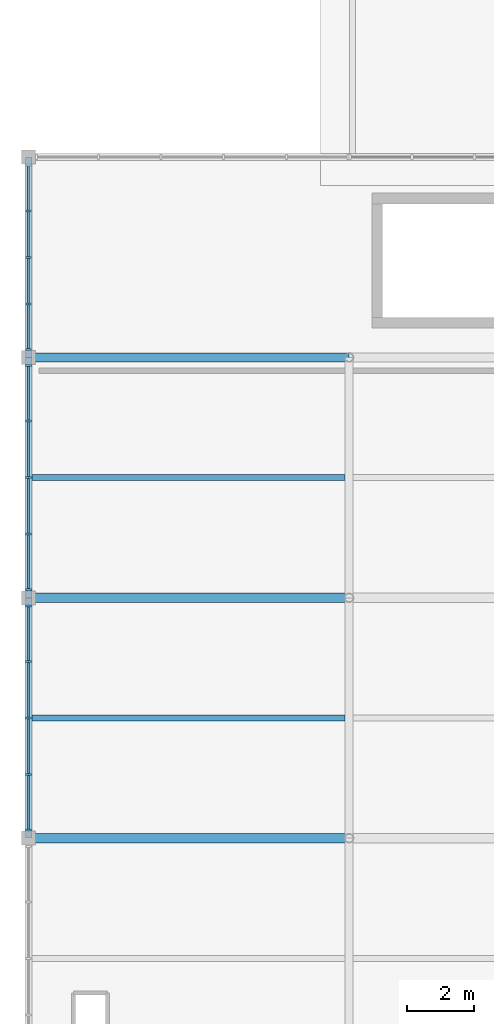
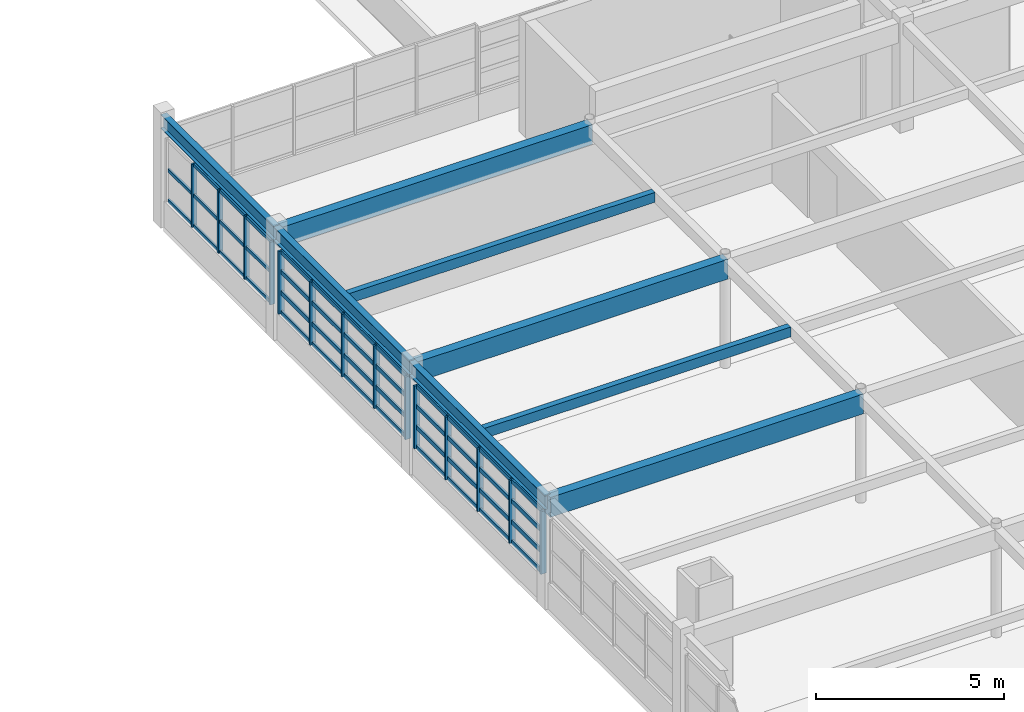
# One storey, part 6 of 25: 57 members, 8 beams, 3 elements without a shape of their own.
"""IFC4 building model written with IfcOpenShell, lengths in metres."""

from ifc_helpers import new_model, si_unit, direction, frame, origin, origin_2d, place, context, subcontext, project, spatial, rectangle, i_section, extrude, material, material_profile, profile_set, type_object, element, aggregate, save


model = new_model("IFC4")

# Units and contexts
model_context = context("Model", 3, precision=1e-05, world=origin(), true_north=direction((0.0, 1.0)))
body_context = subcontext(model_context, "Body", "Model", "MODEL_VIEW")
ifc_project = project(units=[si_unit("LENGTHUNIT", "METRE"), si_unit("AREAUNIT", "SQUARE_METRE"), si_unit("VOLUMEUNIT", "CUBIC_METRE"), si_unit("PLANEANGLEUNIT", "RADIAN"), si_unit("MASSUNIT", "GRAM", prefix="KILO")], contexts=[model_context])

# Site, building, storey
site_placement = place(None, origin())
site = spatial("IfcSite", under=ifc_project, at=site_placement, CompositionType="ELEMENT")
building_placement = place(site_placement, origin())
building = spatial("IfcBuilding", under=site, at=building_placement, Name="Nzembalo Square Collegiate School", CompositionType="ELEMENT")
storey_placement = place(building_placement, frame((0.0, 0.0, 21.080078125)))
storey = spatial("IfcBuildingStorey", under=building, at=storey_placement, Name="L05", CompositionType="ELEMENT", Elevation=21.080078125)

# Beams
ifc_material_1 = material(Name="Glulam GL32h", Category="wood")
ifc_material_profile_1 = material_profile(ifc_material_1, rectangle(XDim=0.280029296875, YDim=0.639892578125, at=origin_2d()), Name="GL32h 280x640")
ifc_profile_set_1 = profile_set([ifc_material_profile_1], Name="Glulam GL32h")
beam_type_1 = type_object("IfcBeamType", Name="B04", PredefinedType="BEAM", material=ifc_profile_set_1)
for number, where, z_axis, x_axis, name in (
    (1, (130.800048828125, 30.0, 3.2099609375), (1.0, 0.0, 0.0), (0.0, 1.0, 0.0), "Beam B04 L05"),
    (2, (130.800048828125, 37.199951171875, 3.2099609375), (1.0, 0.0, 0.0), (0.0, 1.0, 0.0), "Beam B04 L05"),
    (3, (130.800048828125, 44.39990234375, 3.2099609375), (1.0, 0.0, 0.0), (0.0, 1.0, 0.0), "Beam B04 L05"),
):
    element("IfcBeam", number, at=place(storey_placement, frame(where, z_axis=z_axis, x_axis=x_axis)), inside=storey, type_object=beam_type_1, Name=name, PredefinedType="BEAM", context=body_context, shape_type="SweptSolid", body=[
        extrude(rectangle(XDim=0.280029296875, YDim=0.639892578125, at=origin_2d()), origin(), (0.0, 0.0, 1.0), 9.599853515625),
    ])
ifc_material_2 = material(Name="Steel S355", Category="steel")
ifc_material_profile_2 = material_profile(ifc_material_2, i_section(OverallWidth=0.18994140625, OverallDepth=0.449951171875, WebThickness=0.009521484375, FlangeThickness=0.0146484375, at=origin_2d()), Name="IPE 450")
ifc_profile_set_2 = profile_set([ifc_material_profile_2], Name="Steel S355")
beam_type_2 = type_object("IfcBeamType", Name="B09", PredefinedType="BEAM", material=ifc_profile_set_2)
for number, where, z_axis, x_axis, name in (
    (4, (130.800048828125, 30.0, 3.304931640625), (0.0, 1.0, 0.0), (-1.0, 0.0, 0.0), "Beam B09 L05"),
    (5, (130.800048828125, 37.199951171875, 3.304931640625), (0.0, 1.0, 0.0), (-1.0, 0.0, 0.0), "Beam B09 L05"),
):
    element("IfcBeam", number, at=place(storey_placement, frame(where, z_axis=z_axis, x_axis=x_axis)), inside=storey, type_object=beam_type_2, Name=name, PredefinedType="BEAM", context=body_context, shape_type="SweptSolid", body=[
        extrude(i_section(OverallWidth=0.18994140625, OverallDepth=0.449951171875, WebThickness=0.009521484375, FlangeThickness=0.0146484375, at=origin_2d()), origin(), (0.0, 0.0, 1.0), 7.199951171875),
    ])
beam_placement = place(storey_placement, frame((130.800048828125, 44.39990234375, 3.304931640625), z_axis=(0.0, 1.0, 0.0), x_axis=(-1.0, 0.0, 0.0)))
element("IfcBeam", 6, at=beam_placement, inside=storey, type_object=beam_type_2, Name="Beam B09 L05", PredefinedType="BEAM", context=body_context, shape_type="SweptSolid", body=[
    extrude(i_section(OverallWidth=0.18994140625, OverallDepth=0.449951171875, WebThickness=0.009521484375, FlangeThickness=0.0146484375, at=origin_2d()), origin(), (0.0, 0.0, 1.0), 6.0),
])
ifc_material_3 = material(Name="Glulam GL28h", Category="wood")
ifc_material_profile_3 = material_profile(ifc_material_3, rectangle(XDim=0.179931640625, YDim=0.320068359375, at=origin_2d()), Name="GL28h 180x320")
ifc_profile_set_3 = profile_set([ifc_material_profile_3], Name="Glulam GL28h")
beam_type_3 = type_object("IfcBeamType", Name="J02", PredefinedType="JOIST", material=ifc_profile_set_3)
for number, where, z_axis, x_axis, name in (
    (7, (130.89501953125, 33.60009765625, 3.369873046875), (1.0, 0.0, 0.0), (0.0, 1.0, 0.0), "Secondary joist J02 L05"),
    (8, (130.89501953125, 40.800048828125, 3.369873046875), (1.0, 0.0, 0.0), (0.0, 1.0, 0.0), "Secondary joist J02 L05"),
):
    element("IfcBeam", number, at=place(storey_placement, frame(where, z_axis=z_axis, x_axis=x_axis)), inside=storey, type_object=beam_type_3, Name=name, PredefinedType="JOIST", context=body_context, shape_type="SweptSolid", body=[
        extrude(rectangle(XDim=0.179931640625, YDim=0.320068359375, at=origin_2d()), origin(), (0.0, 0.0, 1.0), 9.385009765625),
    ])

# Curtain wall, members
ifc_material_4 = material(Name="Aluminium 6060-T66", Category="aluminium")
curtain_wall_type_1 = type_object("IfcCurtainWallType", Name="CW-05", PredefinedType="USERDEFINED", material=ifc_material_4)
curtain_wall_1_placement = place(storey_placement, origin())
curtain_wall_1 = element("IfcCurtainWall", 9, at=curtain_wall_1_placement, inside=storey, type_object=curtain_wall_type_1, Name="Curtain wall CW-05 cw:L05:156", ObjectType="LANCET", PredefinedType="USERDEFINED")
ifc_material_5 = material(Name="Aluminium 6060-T66", Category="aluminium")
ifc_material_profile_4 = material_profile(ifc_material_5, rectangle(XDim=0.06005859375, YDim=0.179931640625, at=origin_2d()), Name="ALU M60x180")
ifc_profile_set_4 = profile_set([ifc_material_profile_4], Name="Aluminium 6060-T66")
member_type_1 = type_object("IfcMemberType", Name="ML01", PredefinedType="MULLION", material=ifc_profile_set_4)
member_1_placement = place(storey_placement, frame((130.800048828125, 30.241943359375, 0.849853515625), z_axis=(0.0, 0.0, 1.0), x_axis=(0.0, 1.0, 0.0)))
member_1 = element("IfcMember", 10, at=member_1_placement, type_object=member_type_1, Name="ML01 mullion 1", PredefinedType="MULLION", context=body_context, shape_type="SweptSolid", body=[
    extrude(rectangle(XDim=0.06005859375, YDim=0.179931640625, at=origin_2d()), origin(), (0.0, 0.0, 1.0), 2.0341796875),
])
member_2_placement = place(storey_placement, frame((130.800048828125, 31.906005859375, 0.849853515625), z_axis=(0.0, 0.0, 1.0), x_axis=(0.0, 1.0, 0.0)))
member_2 = element("IfcMember", 11, at=member_2_placement, type_object=member_type_1, Name="ML01 mullion 2", PredefinedType="MULLION", context=body_context, shape_type="SweptSolid", body=[
    extrude(rectangle(XDim=0.06005859375, YDim=0.179931640625, at=origin_2d()), origin(), (0.0, 0.0, 1.0), 2.0341796875),
])
member_3_placement = place(storey_placement, frame((130.800048828125, 33.60009765625, 0.849853515625), z_axis=(0.0, 0.0, 1.0), x_axis=(0.0, 1.0, 0.0)))
member_3 = element("IfcMember", 12, at=member_3_placement, type_object=member_type_1, Name="ML01 mullion 3", PredefinedType="MULLION", context=body_context, shape_type="SweptSolid", body=[
    extrude(rectangle(XDim=0.06005859375, YDim=0.179931640625, at=origin_2d()), origin(), (0.0, 0.0, 1.0), 2.0341796875),
])
member_4_placement = place(storey_placement, frame((130.800048828125, 35.2939453125, 0.849853515625), z_axis=(0.0, 0.0, 1.0), x_axis=(0.0, 1.0, 0.0)))
member_4 = element("IfcMember", 13, at=member_4_placement, type_object=member_type_1, Name="ML01 mullion 4", PredefinedType="MULLION", context=body_context, shape_type="SweptSolid", body=[
    extrude(rectangle(XDim=0.06005859375, YDim=0.179931640625, at=origin_2d()), origin(), (0.0, 0.0, 1.0), 2.0341796875),
])
member_5_placement = place(storey_placement, frame((130.800048828125, 36.9580078125, 0.849853515625), z_axis=(0.0, 0.0, 1.0), x_axis=(0.0, 1.0, 0.0)))
member_5 = element("IfcMember", 14, at=member_5_placement, type_object=member_type_1, Name="ML01 mullion 5", PredefinedType="MULLION", context=body_context, shape_type="SweptSolid", body=[
    extrude(rectangle(XDim=0.06005859375, YDim=0.179931640625, at=origin_2d()), origin(), (0.0, 0.0, 1.0), 2.0341796875),
])

ifc_material_6 = material(Name="Aluminium 6060-T66", Category="aluminium")
curtain_wall_type_2 = type_object("IfcCurtainWallType", Name="CW-06", PredefinedType="USERDEFINED", material=ifc_material_6)
curtain_wall_2_placement = place(storey_placement, origin())
curtain_wall_2 = element("IfcCurtainWall", 15, at=curtain_wall_2_placement, inside=storey, type_object=curtain_wall_type_2, Name="Curtain wall CW-06 cw:L05:157", ObjectType="LANCET", PredefinedType="USERDEFINED")
member_6_placement = place(storey_placement, frame((130.800048828125, 37.44189453125, 0.849853515625), z_axis=(0.0, 0.0, 1.0), x_axis=(0.0, 1.0, 0.0)))
member_6 = element("IfcMember", 16, at=member_6_placement, type_object=member_type_1, Name="ML01 mullion 1", PredefinedType="MULLION", context=body_context, shape_type="SweptSolid", body=[
    extrude(rectangle(XDim=0.06005859375, YDim=0.179931640625, at=origin_2d()), origin(), (0.0, 0.0, 1.0), 2.0341796875),
])
member_7_placement = place(storey_placement, frame((130.800048828125, 39.10595703125, 0.849853515625), z_axis=(0.0, 0.0, 1.0), x_axis=(0.0, 1.0, 0.0)))
member_7 = element("IfcMember", 17, at=member_7_placement, type_object=member_type_1, Name="ML01 mullion 2", PredefinedType="MULLION", context=body_context, shape_type="SweptSolid", body=[
    extrude(rectangle(XDim=0.06005859375, YDim=0.179931640625, at=origin_2d()), origin(), (0.0, 0.0, 1.0), 2.0341796875),
])
member_8_placement = place(storey_placement, frame((130.800048828125, 40.800048828125, 0.849853515625), z_axis=(0.0, 0.0, 1.0), x_axis=(0.0, 1.0, 0.0)))
member_8 = element("IfcMember", 18, at=member_8_placement, type_object=member_type_1, Name="ML01 mullion 3", PredefinedType="MULLION", context=body_context, shape_type="SweptSolid", body=[
    extrude(rectangle(XDim=0.06005859375, YDim=0.179931640625, at=origin_2d()), origin(), (0.0, 0.0, 1.0), 2.0341796875),
])
member_9_placement = place(storey_placement, frame((130.800048828125, 42.493896484375, 0.849853515625), z_axis=(0.0, 0.0, 1.0), x_axis=(0.0, 1.0, 0.0)))
member_9 = element("IfcMember", 19, at=member_9_placement, type_object=member_type_1, Name="ML01 mullion 4", PredefinedType="MULLION", context=body_context, shape_type="SweptSolid", body=[
    extrude(rectangle(XDim=0.06005859375, YDim=0.179931640625, at=origin_2d()), origin(), (0.0, 0.0, 1.0), 2.0341796875),
])
member_10_placement = place(storey_placement, frame((130.800048828125, 44.157958984375, 0.849853515625), z_axis=(0.0, 0.0, 1.0), x_axis=(0.0, 1.0, 0.0)))
member_10 = element("IfcMember", 20, at=member_10_placement, type_object=member_type_1, Name="ML01 mullion 5", PredefinedType="MULLION", context=body_context, shape_type="SweptSolid", body=[
    extrude(rectangle(XDim=0.06005859375, YDim=0.179931640625, at=origin_2d()), origin(), (0.0, 0.0, 1.0), 2.0341796875),
])

ifc_material_7 = material(Name="Aluminium 6060-T66", Category="aluminium")
curtain_wall_type_3 = type_object("IfcCurtainWallType", Name="CW-07", PredefinedType="USERDEFINED", material=ifc_material_7)
curtain_wall_3_placement = place(storey_placement, origin())
curtain_wall_3 = element("IfcCurtainWall", 21, at=curtain_wall_3_placement, inside=storey, type_object=curtain_wall_type_3, Name="Curtain wall CW-07 cw:L05:158", ObjectType="LANCET", PredefinedType="USERDEFINED")
ifc_material_8 = material(Name="Aluminium 6060-T66", Category="aluminium")
ifc_material_profile_5 = material_profile(ifc_material_8, rectangle(XDim=0.06005859375, YDim=0.14990234375, at=origin_2d()), Name="ALU M60x150")
ifc_profile_set_5 = profile_set([ifc_material_profile_5], Name="Aluminium 6060-T66")
member_type_2 = type_object("IfcMemberType", Name="ML02", PredefinedType="MULLION", material=ifc_profile_set_5)
member_11_placement = place(storey_placement, frame((130.800048828125, 44.64208984375, 0.849853515625), z_axis=(0.0, 0.0, 1.0), x_axis=(0.0, 1.0, 0.0)))
member_11 = element("IfcMember", 22, at=member_11_placement, type_object=member_type_2, Name="ML02 mullion 1", PredefinedType="MULLION", context=body_context, shape_type="SweptSolid", body=[
    extrude(rectangle(XDim=0.06005859375, YDim=0.14990234375, at=origin_2d()), origin(), (0.0, 0.0, 1.0), 2.0341796875),
])
member_12_placement = place(storey_placement, frame((130.800048828125, 46.006103515625, 0.849853515625), z_axis=(0.0, 0.0, 1.0), x_axis=(0.0, 1.0, 0.0)))
member_12 = element("IfcMember", 23, at=member_12_placement, type_object=member_type_2, Name="ML02 mullion 2", PredefinedType="MULLION", context=body_context, shape_type="SweptSolid", body=[
    extrude(rectangle(XDim=0.06005859375, YDim=0.14990234375, at=origin_2d()), origin(), (0.0, 0.0, 1.0), 2.0341796875),
])
member_13_placement = place(storey_placement, frame((130.800048828125, 47.39990234375, 0.849853515625), z_axis=(0.0, 0.0, 1.0), x_axis=(0.0, 1.0, 0.0)))
member_13 = element("IfcMember", 24, at=member_13_placement, type_object=member_type_2, Name="ML02 mullion 3", PredefinedType="MULLION", context=body_context, shape_type="SweptSolid", body=[
    extrude(rectangle(XDim=0.06005859375, YDim=0.14990234375, at=origin_2d()), origin(), (0.0, 0.0, 1.0), 2.0341796875),
])
member_14_placement = place(storey_placement, frame((130.800048828125, 48.7939453125, 0.849853515625), z_axis=(0.0, 0.0, 1.0), x_axis=(0.0, 1.0, 0.0)))
member_14 = element("IfcMember", 25, at=member_14_placement, type_object=member_type_2, Name="ML02 mullion 4", PredefinedType="MULLION", context=body_context, shape_type="SweptSolid", body=[
    extrude(rectangle(XDim=0.06005859375, YDim=0.14990234375, at=origin_2d()), origin(), (0.0, 0.0, 1.0), 2.0341796875),
])

# Member
ifc_material_9 = material(Name="Aluminium 6060-T66", Category="aluminium")
ifc_material_profile_6 = material_profile(ifc_material_9, rectangle(XDim=0.06005859375, YDim=0.139892578125, at=origin_2d()), Name="ALU T60x140")
ifc_profile_set_6 = profile_set([ifc_material_profile_6], Name="Aluminium 6060-T66")
member_type_3 = type_object("IfcMemberType", Name="TR01", PredefinedType="USERDEFINED", material=ifc_profile_set_6)
member_15_placement = place(storey_placement, frame((130.800048828125, 30.27197265625, 0.8798828125), z_axis=(0.0, 1.0, 0.0), x_axis=(-1.0, 0.0, 0.0)))
member_15 = element("IfcMember", 26, at=member_15_placement, type_object=member_type_3, Name="TR01 transom 1-1", ObjectType="TRANSOM", PredefinedType="USERDEFINED", context=body_context, shape_type="SweptSolid", body=[
    extrude(rectangle(XDim=0.06005859375, YDim=0.139892578125, at=origin_2d()), origin(), (0.0, 0.0, 1.0), 1.60400390625),
])

member_16_placement = place(storey_placement, frame((130.800048828125, 31.93603515625, 0.8798828125), z_axis=(0.0, 1.0, 0.0), x_axis=(-1.0, 0.0, 0.0)))
member_16 = element("IfcMember", 27, at=member_16_placement, type_object=member_type_3, Name="TR01 transom 1-2", ObjectType="TRANSOM", PredefinedType="USERDEFINED", context=body_context, shape_type="SweptSolid", body=[
    extrude(rectangle(XDim=0.06005859375, YDim=0.139892578125, at=origin_2d()), origin(), (0.0, 0.0, 1.0), 1.634033203125),
])

member_17_placement = place(storey_placement, frame((130.800048828125, 33.6298828125, 0.8798828125), z_axis=(0.0, 1.0, 0.0), x_axis=(-1.0, 0.0, 0.0)))
member_17 = element("IfcMember", 28, at=member_17_placement, type_object=member_type_3, Name="TR01 transom 1-3", ObjectType="TRANSOM", PredefinedType="USERDEFINED", context=body_context, shape_type="SweptSolid", body=[
    extrude(rectangle(XDim=0.06005859375, YDim=0.139892578125, at=origin_2d()), origin(), (0.0, 0.0, 1.0), 1.634033203125),
])

member_18_placement = place(storey_placement, frame((130.800048828125, 35.323974609375, 0.8798828125), z_axis=(0.0, 1.0, 0.0), x_axis=(-1.0, 0.0, 0.0)))
member_18 = element("IfcMember", 29, at=member_18_placement, type_object=member_type_3, Name="TR01 transom 1-4", ObjectType="TRANSOM", PredefinedType="USERDEFINED", context=body_context, shape_type="SweptSolid", body=[
    extrude(rectangle(XDim=0.06005859375, YDim=0.139892578125, at=origin_2d()), origin(), (0.0, 0.0, 1.0), 1.60400390625),
])

member_19_placement = place(storey_placement, frame((130.800048828125, 30.27197265625, 1.52783203125), z_axis=(0.0, 1.0, 0.0), x_axis=(-1.0, 0.0, 0.0)))
member_19 = element("IfcMember", 30, at=member_19_placement, type_object=member_type_3, Name="TR01 transom 2-1", ObjectType="TRANSOM", PredefinedType="USERDEFINED", context=body_context, shape_type="SweptSolid", body=[
    extrude(rectangle(XDim=0.06005859375, YDim=0.139892578125, at=origin_2d()), origin(), (0.0, 0.0, 1.0), 1.60400390625),
])

member_20_placement = place(storey_placement, frame((130.800048828125, 31.93603515625, 1.52783203125), z_axis=(0.0, 1.0, 0.0), x_axis=(-1.0, 0.0, 0.0)))
member_20 = element("IfcMember", 31, at=member_20_placement, type_object=member_type_3, Name="TR01 transom 2-2", ObjectType="TRANSOM", PredefinedType="USERDEFINED", context=body_context, shape_type="SweptSolid", body=[
    extrude(rectangle(XDim=0.06005859375, YDim=0.139892578125, at=origin_2d()), origin(), (0.0, 0.0, 1.0), 1.634033203125),
])

member_21_placement = place(storey_placement, frame((130.800048828125, 33.6298828125, 1.52783203125), z_axis=(0.0, 1.0, 0.0), x_axis=(-1.0, 0.0, 0.0)))
member_21 = element("IfcMember", 32, at=member_21_placement, type_object=member_type_3, Name="TR01 transom 2-3", ObjectType="TRANSOM", PredefinedType="USERDEFINED", context=body_context, shape_type="SweptSolid", body=[
    extrude(rectangle(XDim=0.06005859375, YDim=0.139892578125, at=origin_2d()), origin(), (0.0, 0.0, 1.0), 1.634033203125),
])

member_22_placement = place(storey_placement, frame((130.800048828125, 35.323974609375, 1.52783203125), z_axis=(0.0, 1.0, 0.0), x_axis=(-1.0, 0.0, 0.0)))
member_22 = element("IfcMember", 33, at=member_22_placement, type_object=member_type_3, Name="TR01 transom 2-4", ObjectType="TRANSOM", PredefinedType="USERDEFINED", context=body_context, shape_type="SweptSolid", body=[
    extrude(rectangle(XDim=0.06005859375, YDim=0.139892578125, at=origin_2d()), origin(), (0.0, 0.0, 1.0), 1.60400390625),
])

member_23_placement = place(storey_placement, frame((130.800048828125, 30.27197265625, 2.205810546875), z_axis=(0.0, 1.0, 0.0), x_axis=(-1.0, 0.0, 0.0)))
member_23 = element("IfcMember", 34, at=member_23_placement, type_object=member_type_3, Name="TR01 transom 3-1", ObjectType="TRANSOM", PredefinedType="USERDEFINED", context=body_context, shape_type="SweptSolid", body=[
    extrude(rectangle(XDim=0.06005859375, YDim=0.139892578125, at=origin_2d()), origin(), (0.0, 0.0, 1.0), 1.60400390625),
])

member_24_placement = place(storey_placement, frame((130.800048828125, 31.93603515625, 2.205810546875), z_axis=(0.0, 1.0, 0.0), x_axis=(-1.0, 0.0, 0.0)))
member_24 = element("IfcMember", 35, at=member_24_placement, type_object=member_type_3, Name="TR01 transom 3-2", ObjectType="TRANSOM", PredefinedType="USERDEFINED", context=body_context, shape_type="SweptSolid", body=[
    extrude(rectangle(XDim=0.06005859375, YDim=0.139892578125, at=origin_2d()), origin(), (0.0, 0.0, 1.0), 1.634033203125),
])

member_25_placement = place(storey_placement, frame((130.800048828125, 33.6298828125, 2.205810546875), z_axis=(0.0, 1.0, 0.0), x_axis=(-1.0, 0.0, 0.0)))
member_25 = element("IfcMember", 36, at=member_25_placement, type_object=member_type_3, Name="TR01 transom 3-3", ObjectType="TRANSOM", PredefinedType="USERDEFINED", context=body_context, shape_type="SweptSolid", body=[
    extrude(rectangle(XDim=0.06005859375, YDim=0.139892578125, at=origin_2d()), origin(), (0.0, 0.0, 1.0), 1.634033203125),
])

member_26_placement = place(storey_placement, frame((130.800048828125, 35.323974609375, 2.205810546875), z_axis=(0.0, 1.0, 0.0), x_axis=(-1.0, 0.0, 0.0)))
member_26 = element("IfcMember", 37, at=member_26_placement, type_object=member_type_3, Name="TR01 transom 3-4", ObjectType="TRANSOM", PredefinedType="USERDEFINED", context=body_context, shape_type="SweptSolid", body=[
    extrude(rectangle(XDim=0.06005859375, YDim=0.139892578125, at=origin_2d()), origin(), (0.0, 0.0, 1.0), 1.60400390625),
])

member_27_placement = place(storey_placement, frame((130.800048828125, 30.27197265625, 2.85400390625), z_axis=(0.0, 1.0, 0.0), x_axis=(-1.0, 0.0, 0.0)))
member_27 = element("IfcMember", 38, at=member_27_placement, type_object=member_type_3, Name="TR01 transom 4-1", ObjectType="TRANSOM", PredefinedType="USERDEFINED", context=body_context, shape_type="SweptSolid", body=[
    extrude(rectangle(XDim=0.06005859375, YDim=0.139892578125, at=origin_2d()), origin(), (0.0, 0.0, 1.0), 1.60400390625),
])

member_28_placement = place(storey_placement, frame((130.800048828125, 31.93603515625, 2.85400390625), z_axis=(0.0, 1.0, 0.0), x_axis=(-1.0, 0.0, 0.0)))
member_28 = element("IfcMember", 39, at=member_28_placement, type_object=member_type_3, Name="TR01 transom 4-2", ObjectType="TRANSOM", PredefinedType="USERDEFINED", context=body_context, shape_type="SweptSolid", body=[
    extrude(rectangle(XDim=0.06005859375, YDim=0.139892578125, at=origin_2d()), origin(), (0.0, 0.0, 1.0), 1.634033203125),
])

member_29_placement = place(storey_placement, frame((130.800048828125, 33.6298828125, 2.85400390625), z_axis=(0.0, 1.0, 0.0), x_axis=(-1.0, 0.0, 0.0)))
member_29 = element("IfcMember", 40, at=member_29_placement, type_object=member_type_3, Name="TR01 transom 4-3", ObjectType="TRANSOM", PredefinedType="USERDEFINED", context=body_context, shape_type="SweptSolid", body=[
    extrude(rectangle(XDim=0.06005859375, YDim=0.139892578125, at=origin_2d()), origin(), (0.0, 0.0, 1.0), 1.634033203125),
])

member_30_placement = place(storey_placement, frame((130.800048828125, 35.323974609375, 2.85400390625), z_axis=(0.0, 1.0, 0.0), x_axis=(-1.0, 0.0, 0.0)))
member_30 = element("IfcMember", 41, at=member_30_placement, type_object=member_type_3, Name="TR01 transom 4-4", ObjectType="TRANSOM", PredefinedType="USERDEFINED", context=body_context, shape_type="SweptSolid", body=[
    extrude(rectangle(XDim=0.06005859375, YDim=0.139892578125, at=origin_2d()), origin(), (0.0, 0.0, 1.0), 1.60400390625),
])

aggregate(curtain_wall_1, [member_1, member_2, member_3, member_4, member_5, member_15, member_16, member_17, member_18, member_19, member_20, member_21, member_22, member_23, member_24, member_25, member_26, member_27, member_28, member_29, member_30])

member_31_placement = place(storey_placement, frame((130.800048828125, 37.471923828125, 0.8798828125), z_axis=(0.0, 1.0, 0.0), x_axis=(-1.0, 0.0, 0.0)))
member_31 = element("IfcMember", 42, at=member_31_placement, type_object=member_type_3, Name="TR01 transom 1-1", ObjectType="TRANSOM", PredefinedType="USERDEFINED", context=body_context, shape_type="SweptSolid", body=[
    extrude(rectangle(XDim=0.06005859375, YDim=0.139892578125, at=origin_2d()), origin(), (0.0, 0.0, 1.0), 1.60400390625),
])

member_32_placement = place(storey_placement, frame((130.800048828125, 39.135986328125, 0.8798828125), z_axis=(0.0, 1.0, 0.0), x_axis=(-1.0, 0.0, 0.0)))
member_32 = element("IfcMember", 43, at=member_32_placement, type_object=member_type_3, Name="TR01 transom 1-2", ObjectType="TRANSOM", PredefinedType="USERDEFINED", context=body_context, shape_type="SweptSolid", body=[
    extrude(rectangle(XDim=0.06005859375, YDim=0.139892578125, at=origin_2d()), origin(), (0.0, 0.0, 1.0), 1.634033203125),
])

member_33_placement = place(storey_placement, frame((130.800048828125, 40.830078125, 0.8798828125), z_axis=(0.0, 1.0, 0.0), x_axis=(-1.0, 0.0, 0.0)))
member_33 = element("IfcMember", 44, at=member_33_placement, type_object=member_type_3, Name="TR01 transom 1-3", ObjectType="TRANSOM", PredefinedType="USERDEFINED", context=body_context, shape_type="SweptSolid", body=[
    extrude(rectangle(XDim=0.06005859375, YDim=0.139892578125, at=origin_2d()), origin(), (0.0, 0.0, 1.0), 1.634033203125),
])

member_34_placement = place(storey_placement, frame((130.800048828125, 42.52392578125, 0.8798828125), z_axis=(0.0, 1.0, 0.0), x_axis=(-1.0, 0.0, 0.0)))
member_34 = element("IfcMember", 45, at=member_34_placement, type_object=member_type_3, Name="TR01 transom 1-4", ObjectType="TRANSOM", PredefinedType="USERDEFINED", context=body_context, shape_type="SweptSolid", body=[
    extrude(rectangle(XDim=0.06005859375, YDim=0.139892578125, at=origin_2d()), origin(), (0.0, 0.0, 1.0), 1.60400390625),
])

member_35_placement = place(storey_placement, frame((130.800048828125, 37.471923828125, 1.52783203125), z_axis=(0.0, 1.0, 0.0), x_axis=(-1.0, 0.0, 0.0)))
member_35 = element("IfcMember", 46, at=member_35_placement, type_object=member_type_3, Name="TR01 transom 2-1", ObjectType="TRANSOM", PredefinedType="USERDEFINED", context=body_context, shape_type="SweptSolid", body=[
    extrude(rectangle(XDim=0.06005859375, YDim=0.139892578125, at=origin_2d()), origin(), (0.0, 0.0, 1.0), 1.60400390625),
])

member_36_placement = place(storey_placement, frame((130.800048828125, 39.135986328125, 1.52783203125), z_axis=(0.0, 1.0, 0.0), x_axis=(-1.0, 0.0, 0.0)))
member_36 = element("IfcMember", 47, at=member_36_placement, type_object=member_type_3, Name="TR01 transom 2-2", ObjectType="TRANSOM", PredefinedType="USERDEFINED", context=body_context, shape_type="SweptSolid", body=[
    extrude(rectangle(XDim=0.06005859375, YDim=0.139892578125, at=origin_2d()), origin(), (0.0, 0.0, 1.0), 1.634033203125),
])

member_37_placement = place(storey_placement, frame((130.800048828125, 40.830078125, 1.52783203125), z_axis=(0.0, 1.0, 0.0), x_axis=(-1.0, 0.0, 0.0)))
member_37 = element("IfcMember", 48, at=member_37_placement, type_object=member_type_3, Name="TR01 transom 2-3", ObjectType="TRANSOM", PredefinedType="USERDEFINED", context=body_context, shape_type="SweptSolid", body=[
    extrude(rectangle(XDim=0.06005859375, YDim=0.139892578125, at=origin_2d()), origin(), (0.0, 0.0, 1.0), 1.634033203125),
])

member_38_placement = place(storey_placement, frame((130.800048828125, 42.52392578125, 1.52783203125), z_axis=(0.0, 1.0, 0.0), x_axis=(-1.0, 0.0, 0.0)))
member_38 = element("IfcMember", 49, at=member_38_placement, type_object=member_type_3, Name="TR01 transom 2-4", ObjectType="TRANSOM", PredefinedType="USERDEFINED", context=body_context, shape_type="SweptSolid", body=[
    extrude(rectangle(XDim=0.06005859375, YDim=0.139892578125, at=origin_2d()), origin(), (0.0, 0.0, 1.0), 1.60400390625),
])

member_39_placement = place(storey_placement, frame((130.800048828125, 37.471923828125, 2.205810546875), z_axis=(0.0, 1.0, 0.0), x_axis=(-1.0, 0.0, 0.0)))
member_39 = element("IfcMember", 50, at=member_39_placement, type_object=member_type_3, Name="TR01 transom 3-1", ObjectType="TRANSOM", PredefinedType="USERDEFINED", context=body_context, shape_type="SweptSolid", body=[
    extrude(rectangle(XDim=0.06005859375, YDim=0.139892578125, at=origin_2d()), origin(), (0.0, 0.0, 1.0), 1.60400390625),
])

member_40_placement = place(storey_placement, frame((130.800048828125, 39.135986328125, 2.205810546875), z_axis=(0.0, 1.0, 0.0), x_axis=(-1.0, 0.0, 0.0)))
member_40 = element("IfcMember", 51, at=member_40_placement, type_object=member_type_3, Name="TR01 transom 3-2", ObjectType="TRANSOM", PredefinedType="USERDEFINED", context=body_context, shape_type="SweptSolid", body=[
    extrude(rectangle(XDim=0.06005859375, YDim=0.139892578125, at=origin_2d()), origin(), (0.0, 0.0, 1.0), 1.634033203125),
])

member_41_placement = place(storey_placement, frame((130.800048828125, 40.830078125, 2.205810546875), z_axis=(0.0, 1.0, 0.0), x_axis=(-1.0, 0.0, 0.0)))
member_41 = element("IfcMember", 52, at=member_41_placement, type_object=member_type_3, Name="TR01 transom 3-3", ObjectType="TRANSOM", PredefinedType="USERDEFINED", context=body_context, shape_type="SweptSolid", body=[
    extrude(rectangle(XDim=0.06005859375, YDim=0.139892578125, at=origin_2d()), origin(), (0.0, 0.0, 1.0), 1.634033203125),
])

member_42_placement = place(storey_placement, frame((130.800048828125, 42.52392578125, 2.205810546875), z_axis=(0.0, 1.0, 0.0), x_axis=(-1.0, 0.0, 0.0)))
member_42 = element("IfcMember", 53, at=member_42_placement, type_object=member_type_3, Name="TR01 transom 3-4", ObjectType="TRANSOM", PredefinedType="USERDEFINED", context=body_context, shape_type="SweptSolid", body=[
    extrude(rectangle(XDim=0.06005859375, YDim=0.139892578125, at=origin_2d()), origin(), (0.0, 0.0, 1.0), 1.60400390625),
])

member_43_placement = place(storey_placement, frame((130.800048828125, 37.471923828125, 2.85400390625), z_axis=(0.0, 1.0, 0.0), x_axis=(-1.0, 0.0, 0.0)))
member_43 = element("IfcMember", 54, at=member_43_placement, type_object=member_type_3, Name="TR01 transom 4-1", ObjectType="TRANSOM", PredefinedType="USERDEFINED", context=body_context, shape_type="SweptSolid", body=[
    extrude(rectangle(XDim=0.06005859375, YDim=0.139892578125, at=origin_2d()), origin(), (0.0, 0.0, 1.0), 1.60400390625),
])

member_44_placement = place(storey_placement, frame((130.800048828125, 39.135986328125, 2.85400390625), z_axis=(0.0, 1.0, 0.0), x_axis=(-1.0, 0.0, 0.0)))
member_44 = element("IfcMember", 55, at=member_44_placement, type_object=member_type_3, Name="TR01 transom 4-2", ObjectType="TRANSOM", PredefinedType="USERDEFINED", context=body_context, shape_type="SweptSolid", body=[
    extrude(rectangle(XDim=0.06005859375, YDim=0.139892578125, at=origin_2d()), origin(), (0.0, 0.0, 1.0), 1.634033203125),
])

member_45_placement = place(storey_placement, frame((130.800048828125, 40.830078125, 2.85400390625), z_axis=(0.0, 1.0, 0.0), x_axis=(-1.0, 0.0, 0.0)))
member_45 = element("IfcMember", 56, at=member_45_placement, type_object=member_type_3, Name="TR01 transom 4-3", ObjectType="TRANSOM", PredefinedType="USERDEFINED", context=body_context, shape_type="SweptSolid", body=[
    extrude(rectangle(XDim=0.06005859375, YDim=0.139892578125, at=origin_2d()), origin(), (0.0, 0.0, 1.0), 1.634033203125),
])

member_46_placement = place(storey_placement, frame((130.800048828125, 42.52392578125, 2.85400390625), z_axis=(0.0, 1.0, 0.0), x_axis=(-1.0, 0.0, 0.0)))
member_46 = element("IfcMember", 57, at=member_46_placement, type_object=member_type_3, Name="TR01 transom 4-4", ObjectType="TRANSOM", PredefinedType="USERDEFINED", context=body_context, shape_type="SweptSolid", body=[
    extrude(rectangle(XDim=0.06005859375, YDim=0.139892578125, at=origin_2d()), origin(), (0.0, 0.0, 1.0), 1.60400390625),
])

aggregate(curtain_wall_2, [member_6, member_7, member_8, member_9, member_10, member_31, member_32, member_33, member_34, member_35, member_36, member_37, member_38, member_39, member_40, member_41, member_42, member_43, member_44, member_45, member_46])

ifc_material_10 = material(Name="Aluminium 6060-T66", Category="aluminium")
ifc_material_profile_7 = material_profile(ifc_material_10, rectangle(XDim=0.06005859375, YDim=0.110107421875, at=origin_2d()), Name="ALU T60x110")
ifc_profile_set_7 = profile_set([ifc_material_profile_7], Name="Aluminium 6060-T66")
member_type_4 = type_object("IfcMemberType", Name="TR02", PredefinedType="USERDEFINED", material=ifc_profile_set_7)
member_47_placement = place(storey_placement, frame((130.800048828125, 44.672119140625, 0.8798828125), z_axis=(0.0, 1.0, 0.0), x_axis=(-1.0, 0.0, 0.0)))
member_47 = element("IfcMember", 58, at=member_47_placement, type_object=member_type_4, Name="TR02 transom 1-1", ObjectType="TRANSOM", PredefinedType="USERDEFINED", context=body_context, shape_type="SweptSolid", body=[
    extrude(rectangle(XDim=0.06005859375, YDim=0.110107421875, at=origin_2d()), origin(), (0.0, 0.0, 1.0), 1.303955078125),
])

member_48_placement = place(storey_placement, frame((130.800048828125, 46.035888671875, 0.8798828125), z_axis=(0.0, 1.0, 0.0), x_axis=(-1.0, 0.0, 0.0)))
member_48 = element("IfcMember", 59, at=member_48_placement, type_object=member_type_4, Name="TR02 transom 1-2", ObjectType="TRANSOM", PredefinedType="USERDEFINED", context=body_context, shape_type="SweptSolid", body=[
    extrude(rectangle(XDim=0.06005859375, YDim=0.110107421875, at=origin_2d()), origin(), (0.0, 0.0, 1.0), 1.334228515625),
])

member_49_placement = place(storey_placement, frame((130.800048828125, 47.429931640625, 0.8798828125), z_axis=(0.0, 1.0, 0.0), x_axis=(-1.0, 0.0, 0.0)))
member_49 = element("IfcMember", 60, at=member_49_placement, type_object=member_type_4, Name="TR02 transom 1-3", ObjectType="TRANSOM", PredefinedType="USERDEFINED", context=body_context, shape_type="SweptSolid", body=[
    extrude(rectangle(XDim=0.06005859375, YDim=0.110107421875, at=origin_2d()), origin(), (0.0, 0.0, 1.0), 1.333984375),
])

member_50_placement = place(storey_placement, frame((130.800048828125, 48.823974609375, 0.8798828125), z_axis=(0.0, 1.0, 0.0), x_axis=(-1.0, 0.0, 0.0)))
member_50 = element("IfcMember", 61, at=member_50_placement, type_object=member_type_4, Name="TR02 transom 1-4", ObjectType="TRANSOM", PredefinedType="USERDEFINED", context=body_context, shape_type="SweptSolid", body=[
    extrude(rectangle(XDim=0.06005859375, YDim=0.110107421875, at=origin_2d()), origin(), (0.0, 0.0, 1.0), 1.303955078125),
])

member_51_placement = place(storey_placement, frame((130.800048828125, 44.672119140625, 1.866943359375), z_axis=(0.0, 1.0, 0.0), x_axis=(-1.0, 0.0, 0.0)))
member_51 = element("IfcMember", 62, at=member_51_placement, type_object=member_type_4, Name="TR02 transom 2-1", ObjectType="TRANSOM", PredefinedType="USERDEFINED", context=body_context, shape_type="SweptSolid", body=[
    extrude(rectangle(XDim=0.06005859375, YDim=0.110107421875, at=origin_2d()), origin(), (0.0, 0.0, 1.0), 1.303955078125),
])

member_52_placement = place(storey_placement, frame((130.800048828125, 46.035888671875, 1.866943359375), z_axis=(0.0, 1.0, 0.0), x_axis=(-1.0, 0.0, 0.0)))
member_52 = element("IfcMember", 63, at=member_52_placement, type_object=member_type_4, Name="TR02 transom 2-2", ObjectType="TRANSOM", PredefinedType="USERDEFINED", context=body_context, shape_type="SweptSolid", body=[
    extrude(rectangle(XDim=0.06005859375, YDim=0.110107421875, at=origin_2d()), origin(), (0.0, 0.0, 1.0), 1.334228515625),
])

member_53_placement = place(storey_placement, frame((130.800048828125, 47.429931640625, 1.866943359375), z_axis=(0.0, 1.0, 0.0), x_axis=(-1.0, 0.0, 0.0)))
member_53 = element("IfcMember", 64, at=member_53_placement, type_object=member_type_4, Name="TR02 transom 2-3", ObjectType="TRANSOM", PredefinedType="USERDEFINED", context=body_context, shape_type="SweptSolid", body=[
    extrude(rectangle(XDim=0.06005859375, YDim=0.110107421875, at=origin_2d()), origin(), (0.0, 0.0, 1.0), 1.333984375),
])

member_54_placement = place(storey_placement, frame((130.800048828125, 48.823974609375, 1.866943359375), z_axis=(0.0, 1.0, 0.0), x_axis=(-1.0, 0.0, 0.0)))
member_54 = element("IfcMember", 65, at=member_54_placement, type_object=member_type_4, Name="TR02 transom 2-4", ObjectType="TRANSOM", PredefinedType="USERDEFINED", context=body_context, shape_type="SweptSolid", body=[
    extrude(rectangle(XDim=0.06005859375, YDim=0.110107421875, at=origin_2d()), origin(), (0.0, 0.0, 1.0), 1.303955078125),
])

member_55_placement = place(storey_placement, frame((130.800048828125, 44.672119140625, 2.85400390625), z_axis=(0.0, 1.0, 0.0), x_axis=(-1.0, 0.0, 0.0)))
member_55 = element("IfcMember", 66, at=member_55_placement, type_object=member_type_4, Name="TR02 transom 3-1", ObjectType="TRANSOM", PredefinedType="USERDEFINED", context=body_context, shape_type="SweptSolid", body=[
    extrude(rectangle(XDim=0.06005859375, YDim=0.110107421875, at=origin_2d()), origin(), (0.0, 0.0, 1.0), 1.303955078125),
])

member_56_placement = place(storey_placement, frame((130.800048828125, 46.035888671875, 2.85400390625), z_axis=(0.0, 1.0, 0.0), x_axis=(-1.0, 0.0, 0.0)))
member_56 = element("IfcMember", 67, at=member_56_placement, type_object=member_type_4, Name="TR02 transom 3-2", ObjectType="TRANSOM", PredefinedType="USERDEFINED", context=body_context, shape_type="SweptSolid", body=[
    extrude(rectangle(XDim=0.06005859375, YDim=0.110107421875, at=origin_2d()), origin(), (0.0, 0.0, 1.0), 1.334228515625),
])

member_57_placement = place(storey_placement, frame((130.800048828125, 47.429931640625, 2.85400390625), z_axis=(0.0, 1.0, 0.0), x_axis=(-1.0, 0.0, 0.0)))
member_57 = element("IfcMember", 68, at=member_57_placement, type_object=member_type_4, Name="TR02 transom 3-3", ObjectType="TRANSOM", PredefinedType="USERDEFINED", context=body_context, shape_type="SweptSolid", body=[
    extrude(rectangle(XDim=0.06005859375, YDim=0.110107421875, at=origin_2d()), origin(), (0.0, 0.0, 1.0), 1.333984375),
])

aggregate(curtain_wall_3, [member_11, member_12, member_13, member_14, member_47, member_48, member_49, member_50, member_51, member_52, member_53, member_54, member_55, member_56, member_57])

save(model, "model.ifc")
